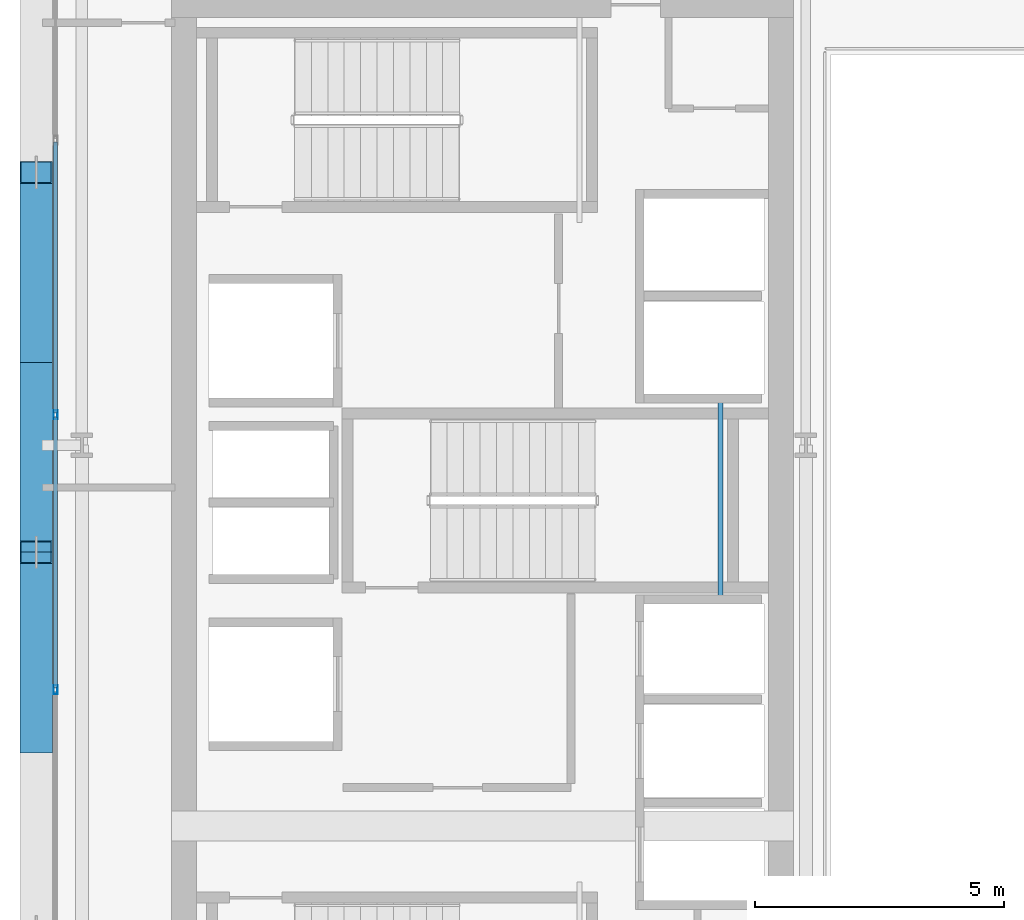
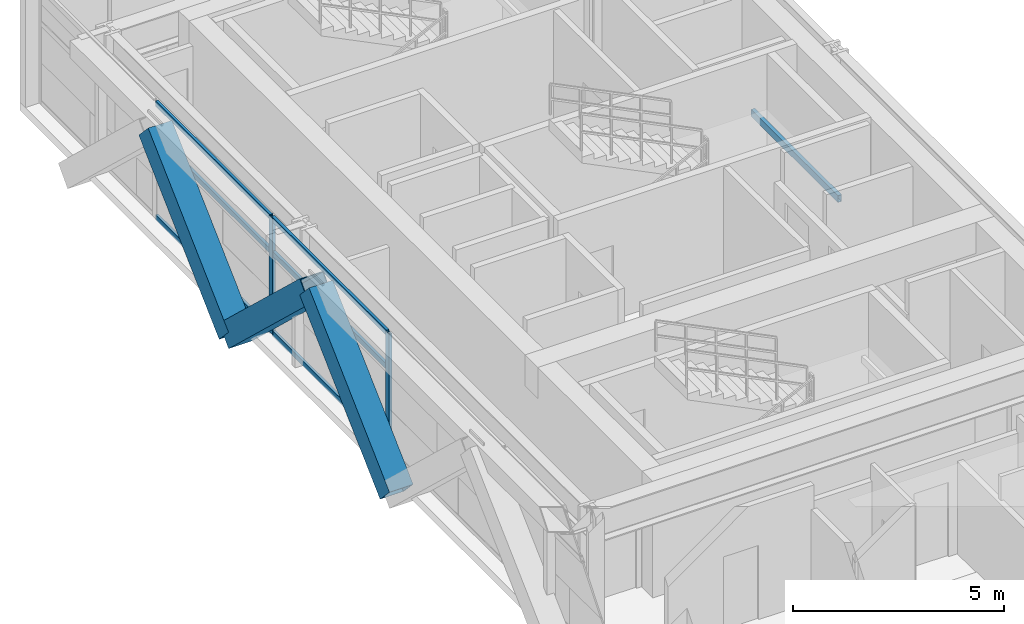
# One storey, part 7 of 32: 11 members, 1 beam, 1 element without a shape of its own.
"""IFC4 building model written with IfcOpenShell, lengths in metres."""

from ifc_helpers import new_model, si_unit, direction, frame, origin, origin_2d, place, context, subcontext, project, spatial, hollow_rectangle, extrude, source, transform, mapped, material, layer, layer_set, material_profile, profile_set, type_object, element, aggregate, save


model = new_model("IFC4")

# Units and contexts
model_context = context("Model", 3, precision=1e-05, world=origin(), true_north=direction((0.0, 1.0)))
body_context = subcontext(model_context, "Body", "Model", "MODEL_VIEW")
ifc_project = project(units=[si_unit("LENGTHUNIT", "METRE"), si_unit("AREAUNIT", "SQUARE_METRE"), si_unit("VOLUMEUNIT", "CUBIC_METRE"), si_unit("PLANEANGLEUNIT", "RADIAN"), si_unit("MASSUNIT", "GRAM", prefix="KILO")], contexts=[model_context])

# Site, building, storey
site_placement = place(None, origin())
site = spatial("IfcSite", under=ifc_project, at=site_placement, CompositionType="ELEMENT")
building_placement = place(site_placement, origin())
building = spatial("IfcBuilding", under=site, at=building_placement, Name="Ocotamira Hotel", CompositionType="ELEMENT")
storey_placement = place(building_placement, frame((0.0, 0.0, 166.800048828125)))
storey = spatial("IfcBuildingStorey", under=building, at=storey_placement, Name="L41", CompositionType="ELEMENT", Elevation=166.800048828125)

# Beam
ifc_material_1 = material(Name="Steel ASTM A500 Grade C", Category="steel")
ifc_material_profile_1 = material_profile(ifc_material_1, hollow_rectangle(XDim=0.10009765625, YDim=0.199951171875, WallThickness=0.008056640625, at=origin_2d()), Name="HSS200X100X8")
ifc_profile_set_1 = profile_set([ifc_material_profile_1], Name="Steel ASTM A500 Grade C")
beam_type = type_object("IfcBeamType", Name="BM-STLDG-HSS200", PredefinedType="BEAM", material=ifc_profile_set_1)
shared_shape_1 = source(origin(), body_context, "Body", "SweptSolid", [
    extrude(hollow_rectangle(XDim=0.10009765625, YDim=0.199951171875, WallThickness=0.008056640625, at=origin_2d()), origin(), (0.0, 0.0, 1.0), 4.1201171875),
])
beam_placement = place(storey_placement, frame((21.780029296875, 24.97998046875, 1.5), z_axis=(0.0, 1.0, 0.0), x_axis=(-1.0, 0.0, 0.0)))
element("IfcBeam", 1, at=beam_placement, inside=storey, type_object=beam_type, Name="L41 Stair ST-3 Landing Bearer 1", PredefinedType="BEAM", context=body_context, shape_type="MappedRepresentation", body=[
    mapped(shared_shape_1, transform((0.0, 0.0, 0.0), scale=1.0)),
])

# Members
ifc_material_2 = material(Name="Pale-metal coated steel ASTM A913 Grade 65", Category="steel")
ifc_material_profile_2 = material_profile(ifc_material_2, hollow_rectangle(XDim=0.64990234375, YDim=0.64990234375, WallThickness=0.02197265625, at=origin_2d()), Name="BOX650X650X22")
ifc_profile_set_2 = profile_set([ifc_material_profile_2], Name="Pale-metal coated steel ASTM A913 Grade 65")
member_type_1 = type_object("IfcMemberType", Name="MEM-EXO-BOX650", PredefinedType="BRACE", material=ifc_profile_set_2)
shared_shape_2 = source(origin(), body_context, "Body", "SweptSolid", [
    extrude(hollow_rectangle(XDim=0.64990234375, YDim=0.64990234375, WallThickness=0.02197265625, at=origin_2d()), origin(), (0.0, 0.0, 1.0), 5.24658203125),
])
for number, where, z_axis, x_axis, name in (
    (2, (8.030029296875, 22.183349609375, -0.47998046875), (0.0, 0.72746596067, 0.686143772154), (-1.0, 0.0, 0.0), "L41 Exoskeleton Diagrid W1.1"),
    (3, (8.030029296875, 29.816650390625, -0.47998046875), (0.0, -0.72746596067, 0.686143772154), (1.0, 0.0, 0.0), "L41 Exoskeleton Diagrid W1.2"),
    (4, (8.030029296875, 29.816650390625, -0.47998046875), (0.0, 0.72746596067, 0.686143772154), (-1.0, 0.0, 0.0), "L41 Exoskeleton Diagrid W2.1"),
):
    element("IfcMember", number, at=place(storey_placement, frame(where, z_axis=z_axis, x_axis=x_axis)), inside=storey, type_object=member_type_1, Name=name, PredefinedType="BRACE", context=body_context, shape_type="MappedRepresentation", body=[
        mapped(shared_shape_2, transform((0.0, 0.0, 0.0), scale=1.0)),
    ])

# Curtain wall, members
ifc_material_3 = material(Name="Anodised pale-metal aluminium and solar glass", Category="aluminium")
ifc_layer = layer(ifc_material_3, 0.199951171875)
ifc_layer_set = layer_set([ifc_layer], Name="Anodised pale-metal aluminium and solar glass")
curtain_wall_type = type_object("IfcCurtainWallType", Name="CW-SYS4-Z3", PredefinedType="NOTDEFINED", material=ifc_layer_set)
curtain_wall_placement = place(storey_placement, origin())
curtain_wall = element("IfcCurtainWall", 5, at=curtain_wall_placement, inside=storey, type_object=curtain_wall_type, Name="L41 Curtain Wall CW-4 CW-L41-W", PredefinedType="NOTDEFINED")
ifc_material_4 = material(Name="Anodised pale-metal aluminium 6063-T6", Category="aluminium")
ifc_material_profile_3 = material_profile(ifc_material_4, hollow_rectangle(XDim=0.074951171875, YDim=0.14990234375, WallThickness=0.006103515625, at=origin_2d()), Name="HSS150X75X6")
ifc_profile_set_3 = profile_set([ifc_material_profile_3], Name="Anodised pale-metal aluminium 6063-T6")
member_type_2 = type_object("IfcMemberType", Name="CWT-150X75", PredefinedType="USERDEFINED", material=ifc_profile_set_3)
shared_shape_3 = source(origin(), body_context, "Body", "SweptSolid", [
    extrude(hollow_rectangle(XDim=0.074951171875, YDim=0.14990234375, WallThickness=0.006103515625, at=origin_2d()), origin(), (0.0, 0.0, 1.0), 5.43994140625),
])
member_1_placement = place(storey_placement, frame((8.419921875, 23.280029296875, 0.037353515625), z_axis=(0.0, 1.0, 0.0), x_axis=(-1.0, 0.0, 0.0)))
member_1 = element("IfcMember", 6, at=member_1_placement, type_object=member_type_2, Name="CW-4 transom 3.1", ObjectType="TRANSOM", PredefinedType="USERDEFINED", context=body_context, shape_type="MappedRepresentation", body=[
    mapped(shared_shape_3, transform((0.0, 0.0, 0.0), scale=1.0)),
])
member_2_placement = place(storey_placement, frame((8.419921875, 23.280029296875, 2.349853515625), z_axis=(0.0, 1.0, 0.0), x_axis=(-1.0, 0.0, 0.0)))
member_2 = element("IfcMember", 7, at=member_2_placement, type_object=member_type_2, Name="CW-4 transom 3.2", ObjectType="TRANSOM", PredefinedType="USERDEFINED", context=body_context, shape_type="MappedRepresentation", body=[
    mapped(shared_shape_3, transform((0.0, 0.0, 0.0), scale=1.0)),
])
member_3_placement = place(storey_placement, frame((8.419921875, 23.280029296875, 3.33251953125), z_axis=(0.0, 1.0, 0.0), x_axis=(-1.0, 0.0, 0.0)))
member_3 = element("IfcMember", 8, at=member_3_placement, type_object=member_type_2, Name="CW-4 transom 3.3", ObjectType="TRANSOM", PredefinedType="USERDEFINED", context=body_context, shape_type="MappedRepresentation", body=[
    mapped(shared_shape_3, transform((0.0, 0.0, 0.0), scale=1.0)),
])
member_4_placement = place(storey_placement, frame((8.419921875, 28.800048828125, 0.037353515625), z_axis=(0.0, 1.0, 0.0), x_axis=(-1.0, 0.0, 0.0)))
member_4 = element("IfcMember", 9, at=member_4_placement, type_object=member_type_2, Name="CW-4 transom 4.1", ObjectType="TRANSOM", PredefinedType="USERDEFINED", context=body_context, shape_type="MappedRepresentation", body=[
    mapped(shared_shape_3, transform((0.0, 0.0, 0.0), scale=1.0)),
])
member_5_placement = place(storey_placement, frame((8.419921875, 28.800048828125, 2.349853515625), z_axis=(0.0, 1.0, 0.0), x_axis=(-1.0, 0.0, 0.0)))
member_5 = element("IfcMember", 10, at=member_5_placement, type_object=member_type_2, Name="CW-4 transom 4.2", ObjectType="TRANSOM", PredefinedType="USERDEFINED", context=body_context, shape_type="MappedRepresentation", body=[
    mapped(shared_shape_3, transform((0.0, 0.0, 0.0), scale=1.0)),
])
member_6_placement = place(storey_placement, frame((8.419921875, 28.800048828125, 3.33251953125), z_axis=(0.0, 1.0, 0.0), x_axis=(-1.0, 0.0, 0.0)))
member_6 = element("IfcMember", 11, at=member_6_placement, type_object=member_type_2, Name="CW-4 transom 4.3", ObjectType="TRANSOM", PredefinedType="USERDEFINED", context=body_context, shape_type="MappedRepresentation", body=[
    mapped(shared_shape_3, transform((0.0, 0.0, 0.0), scale=1.0)),
])
ifc_material_profile_4 = material_profile(ifc_material_4, hollow_rectangle(XDim=0.080078125, YDim=0.179931640625, WallThickness=0.006103515625, at=origin_2d()), Name="HSS180X80X6")
ifc_profile_set_4 = profile_set([ifc_material_profile_4], Name="Anodised pale-metal aluminium 6063-T6")
member_type_3 = type_object("IfcMemberType", Name="CWM-180X75", PredefinedType="MULLION", material=ifc_profile_set_4)
shared_shape_4 = source(origin(), body_context, "Body", "SweptSolid", [
    extrude(hollow_rectangle(XDim=0.080078125, YDim=0.179931640625, WallThickness=0.006103515625, at=origin_2d()), origin(), (0.0, 0.0, 1.0), 3.369873046875),
])
member_7_placement = place(storey_placement, frame((8.419921875, 23.239990234375, 0.0), z_axis=(0.0, 0.0, 1.0), x_axis=(-1.0, 0.0, 0.0)))
member_7 = element("IfcMember", 12, at=member_7_placement, type_object=member_type_3, Name="CW-4 mullion 3", PredefinedType="MULLION", context=body_context, shape_type="MappedRepresentation", body=[
    mapped(shared_shape_4, transform((0.0, 0.0, 0.0), scale=1.0)),
])
member_8_placement = place(storey_placement, frame((8.419921875, 28.760009765625, 0.0), z_axis=(0.0, 0.0, 1.0), x_axis=(-1.0, 0.0, 0.0)))
member_8 = element("IfcMember", 13, at=member_8_placement, type_object=member_type_3, Name="CW-4 mullion 4", PredefinedType="MULLION", context=body_context, shape_type="MappedRepresentation", body=[
    mapped(shared_shape_4, transform((0.0, 0.0, 0.0), scale=1.0)),
])
aggregate(curtain_wall, [member_7, member_8, member_1, member_2, member_3, member_4, member_5, member_6])

save(model, "model.ifc")
